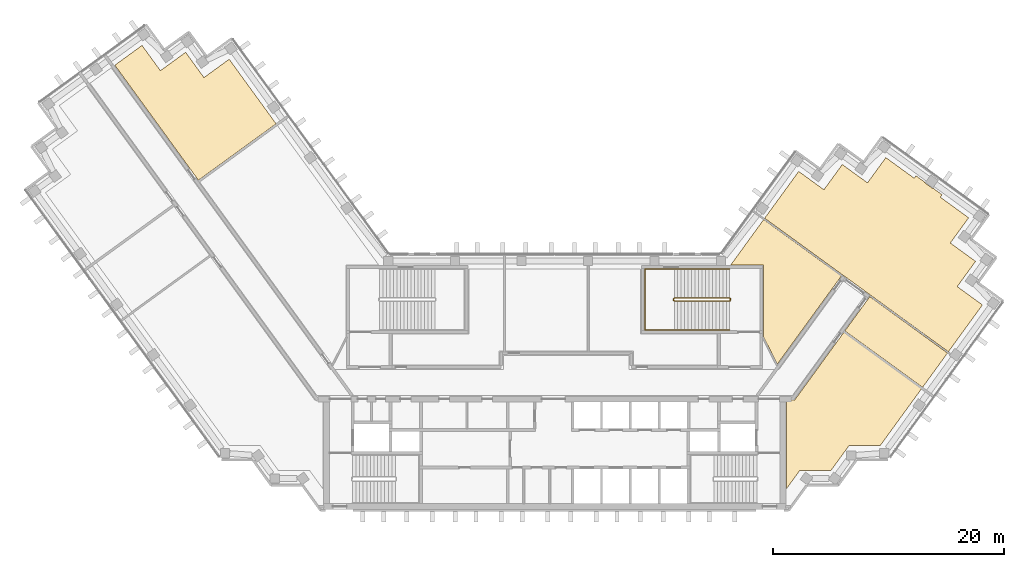
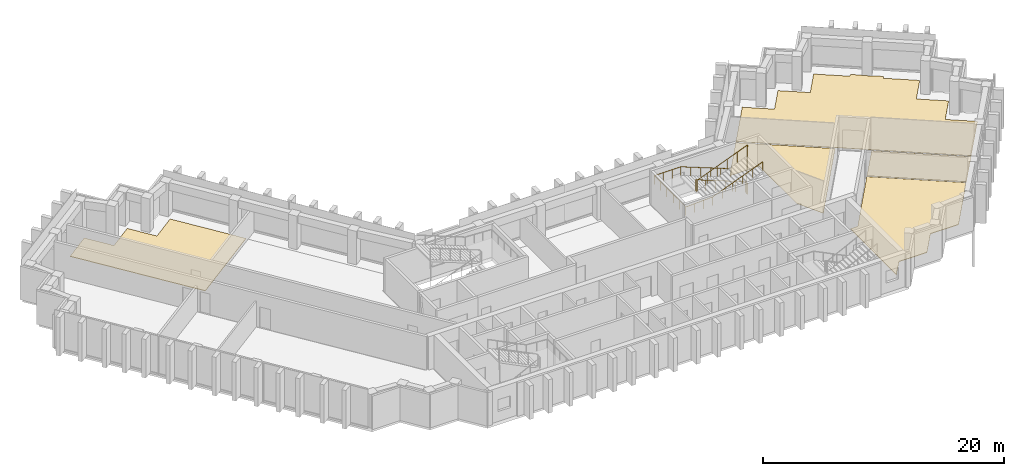
# One storey, part 9 of 9: 5 coverings, 2 railings.
"""IFC4 building model written with IfcOpenShell, lengths in metres."""

from ifc_helpers import new_model, si_unit, direction, frame, origin, origin_2d, place, context, subcontext, project, spatial, polyline, circle, outline, extrude, material, layer, layer_set, type_object, element, save


model = new_model("IFC4")

# Units and contexts
model_context = context("Model", 3, precision=1e-05, world=origin(), true_north=direction((0.0, 1.0)))
body_context = subcontext(model_context, "Body", "Model", "MODEL_VIEW")
ifc_project = project(units=[si_unit("LENGTHUNIT", "METRE"), si_unit("AREAUNIT", "SQUARE_METRE"), si_unit("VOLUMEUNIT", "CUBIC_METRE"), si_unit("PLANEANGLEUNIT", "RADIAN"), si_unit("MASSUNIT", "GRAM", prefix="KILO")], contexts=[model_context])

# Site, building, storey
site_placement = place(None, origin())
site = spatial("IfcSite", under=ifc_project, at=site_placement, CompositionType="ELEMENT")
building_placement = place(site_placement, origin())
building = spatial("IfcBuilding", under=site, at=building_placement, Name="Quipu Civic Tower", CompositionType="ELEMENT")
storey_placement = place(building_placement, frame((0.0, 0.0, 238.0)))
storey = spatial("IfcBuildingStorey", under=building, at=storey_placement, Name="L56", CompositionType="ELEMENT", Elevation=238.0)

# Coverings
ifc_material_1 = material(Name="Carpet tile on raised access floor")
ifc_layer_1 = layer(ifc_material_1, 0.02001953125)
ifc_layer_set_1 = layer_set([ifc_layer_1], Name="Carpet tile on raised access floor")
covering_type_1 = type_object("IfcCoveringType", Name="Carpet tile floor finish 20", PredefinedType="FLOORING", material=ifc_layer_set_1)
covering_1_placement = place(storey_placement, origin())
element("IfcCovering", 1, at=covering_1_placement, inside=storey, type_object=covering_type_1, Name="Carpet tile floor finish 20", PredefinedType="FLOORING", context=body_context, shape_type="SweptSolid", body=[
    extrude(outline(polyline([(15.238037109375, 10.169921875), (18.089111328125, 14.093994140625), (24.81201171875, 9.2109375), (19.27197265625, 1.583984375), (18.070068359375, 3.94189453125), (18.070068359375, 10.1689453125), (15.238037109375, 10.169921875)])), origin(), (0.0, 0.0, 1.0), 0.02001953125),
])
covering_2_placement = place(storey_placement, origin())
element("IfcCovering", 2, at=covering_2_placement, inside=storey, type_object=covering_type_1, Name="Carpet tile floor finish 20", PredefinedType="FLOORING", context=body_context, shape_type="SweptSolid", body=[
    extrude(outline(polyline([(18.172119140625, 14.20703125), (21.116943359375, 18.260986328125), (23.301025390625, 16.675048828125), (24.887939453125, 18.85791015625), (27.073974609375, 17.27197265625), (28.658935546875, 19.455078125), (31.116943359375, 17.6708984375), (31.27099609375, 17.8798828125), (32.032958984375, 17.325927734375), (32.032958984375, 17.324951171875), (32.031005859375, 17.321044921875), (32.030029296875, 17.31591796875), (32.029052734375, 17.31103515625), (32.028076171875, 17.305908203125), (32.028076171875, 17.302001953125), (32.029052734375, 17.297119140625), (32.030029296875, 17.2919921875), (32.031005859375, 17.287109375), (32.032958984375, 17.282958984375), (32.035888671875, 17.278076171875), (32.0380859375, 17.27392578125), (32.041015625, 17.27099609375), (32.044921875, 17.26708984375), (32.049072265625, 17.263916015625), (32.696044921875, 16.7939453125), (32.699951171875, 16.791015625), (32.7041015625, 16.7890625), (32.708984375, 16.787109375), (32.714111328125, 16.785888671875), (32.718994140625, 16.784912109375), (32.722900390625, 16.783935546875), (32.72802734375, 16.783935546875), (32.73291015625, 16.784912109375), (32.738037109375, 16.785888671875), (32.742919921875, 16.787109375), (32.7470703125, 16.7890625), (32.751953125, 16.7919921875), (32.756103515625, 16.7939453125), (32.759033203125, 16.798095703125), (32.760009765625, 16.798095703125), (33.52197265625, 16.2451171875), (33.3701171875, 16.032958984375), (35.826904296875, 14.248046875), (34.240966796875, 12.06396484375), (36.425048828125, 10.47607421875), (34.839111328125, 8.291015625), (37.02197265625, 6.7060546875), (34.077880859375, 2.652099609375), (18.172119140625, 14.20703125)])), origin(), (0.0, 0.0, 1.0), 0.02001953125),
])
ifc_material_2 = material(Name="Ceramic floor tile")
ifc_layer_2 = layer(ifc_material_2, 0.030029296875)
ifc_layer_set_2 = layer_set([ifc_layer_2], Name="Ceramic floor tile")
covering_type_2 = type_object("IfcCoveringType", Name="Ceramic tile floor finish 30", PredefinedType="FLOORING", material=ifc_layer_set_2)
covering_3_placement = place(storey_placement, origin())
element("IfcCovering", 3, at=covering_3_placement, inside=storey, type_object=covering_type_2, Name="Ceramic tile floor finish 30", PredefinedType="FLOORING", context=body_context, shape_type="SweptSolid", body=[
    extrude(outline(polyline([(25.117919921875, 4.4580078125), (27.27197265625, 7.423095703125), (33.9951171875, 2.5390625), (31.841064453125, -0.426025390625), (25.117919921875, 4.4580078125)])), origin(), (0.0, 0.0, 1.0), 0.030029296875),
])
ifc_material_3 = material(Name="Sealed cement screed")
ifc_layer_3 = layer(ifc_material_3, 0.050048828125)
ifc_layer_set_3 = layer_set([ifc_layer_3], Name="Sealed cement screed")
covering_type_3 = type_object("IfcCoveringType", Name="Sealed screed floor finish 50", PredefinedType="FLOORING", material=ifc_layer_set_3)
covering_4_placement = place(storey_placement, origin())
element("IfcCovering", 4, at=covering_4_placement, inside=storey, type_object=covering_type_3, Name="Sealed screed floor finish 50", PredefinedType="FLOORING", context=body_context, shape_type="SweptSolid", body=[
    extrude(outline(polyline([(20.070068359375, -9.195068359375), (20.070068359375, -1.52001953125), (20.77490234375, -1.51904296875), (25.034912109375, 4.344970703125), (31.758056640625, -0.5390625), (28.181884765625, -5.4609375), (25.48193359375, -5.4619140625), (23.89501953125, -7.64599609375), (21.196044921875, -7.64599609375), (20.070068359375, -9.195068359375)])), origin(), (0.0, 0.0, 1.0), 0.050048828125),
])
covering_5_placement = place(storey_placement, origin())
element("IfcCovering", 5, at=covering_5_placement, inside=storey, type_object=covering_type_3, Name="Sealed screed floor finish 50", PredefinedType="FLOORING", context=body_context, shape_type="SweptSolid", body=[
    extrude(outline(polyline([(-38.06689453125, 27.4541015625), (-35.712890625, 29.1640625), (-34.126953125, 26.97998046875), (-31.94091796875, 28.56591796875), (-30.35400390625, 26.383056640625), (-28.169921875, 27.968994140625), (-24.112060546875, 22.382080078125), (-30.8349609375, 17.4990234375), (-38.06689453125, 27.4541015625)])), origin(), (0.0, 0.0, 1.0), 0.050048828125),
])

# Railings
ifc_material_4 = material(Name="Stainless steel", Category="steel")
railing_type_1 = type_object("IfcRailingType", Name="Stair guard 1100", PredefinedType="GUARDRAIL", material=ifc_material_4)
railing_1_placement = place(storey_placement, frame((15.14990234375, 7.300048828125, 0.11767578125)))
element("IfcRailing", 6, at=railing_1_placement, inside=storey, type_object=railing_type_1, Name="Stair 4 guard", PredefinedType="GUARDRAIL", context=body_context, shape_type="SweptSolid", body=[
    extrude(circle(Radius=0.02392578125, at=origin_2d()), frame((0.0, 0.0, 1.076171875), z_axis=(-0.930970042603, 0.0, 0.365095576219), x_axis=(0.0, -1.0, 0.0)), (0.0, 0.0, 1.0), 5.15576171875),
    extrude(circle(Radius=0.02392578125, at=origin_2d()), frame((-4.7998046875, 0.0, 2.95849609375), z_axis=(-0.707106781187, -0.707106781187, 0.0), x_axis=(0.707106781187, -0.707106781187, 0.0)), (0.0, 0.0, 1.0), 0.07080078125),
    extrude(circle(Radius=0.02392578125, at=origin_2d()), frame((-4.849853515625, -0.050048828125, 2.95849609375), z_axis=(0.0, -1.0, 0.0), x_axis=(1.0, 0.0, 0.0)), (0.0, 0.0, 1.0), 0.14990234375),
    extrude(circle(Radius=0.02392578125, at=origin_2d()), frame((-4.849853515625, -0.199951171875, 2.95849609375), z_axis=(0.364463019033, -0.364463019033, 0.856932561824), x_axis=(0.707106781187, 0.707106781187, 0.0)), (0.0, 0.0, 1.0), 0.13720703125),
    extrude(circle(Radius=0.02392578125, at=origin_2d()), frame((-4.7998046875, -0.25, 3.076171875), z_axis=(0.930970042603, 0.0, 0.365095576219), x_axis=(0.0, 1.0, 0.0)), (0.0, 0.0, 1.0), 5.15576171875),
    extrude(circle(Radius=0.02392578125, at=origin_2d()), frame((0.0, -0.25, 4.95849609375), z_axis=(0.012495627992, 0.049921557685, -0.998674970829), x_axis=(-0.970072785993, 0.242814311512, 0.0)), (0.0, 0.0, 1.0), 4.00537109375),
    extrude(circle(Radius=0.02392578125, at=origin_2d()), frame((0.050048828125, -0.050048828125, 0.95849609375), z_axis=(0.0, -1.0, 0.0), x_axis=(1.0, 0.0, 0.0)), (0.0, 0.0, 1.0), 0.14990234375),
    extrude(circle(Radius=0.02099609375, at=origin_2d()), origin(), (0.0, 0.0, 1.0), 1.052001953125),
    extrude(circle(Radius=0.02099609375, at=origin_2d()), frame((-0.9599609375, 0.0, 0.37646484375)), (0.0, 0.0, 1.0), 1.052001953125),
    extrude(circle(Radius=0.02099609375, at=origin_2d()), frame((-1.919921875, 0.0, 0.7529296875)), (0.0, 0.0, 1.0), 1.052001953125),
    extrude(circle(Radius=0.02099609375, at=origin_2d()), frame((-2.8798828125, 0.0, 1.12939453125)), (0.0, 0.0, 1.0), 1.052001953125),
    extrude(circle(Radius=0.02099609375, at=origin_2d()), frame((-3.83984375, 0.0, 1.505859375)), (0.0, 0.0, 1.0), 1.052001953125),
    extrude(circle(Radius=0.02099609375, at=origin_2d()), frame((-4.7998046875, 0.0, 1.88232421875)), (0.0, 0.0, 1.0), 1.052001953125),
    extrude(circle(Radius=0.02099609375, at=origin_2d()), frame((-4.849853515625, -0.050048828125, 1.88232421875)), (0.0, 0.0, 1.0), 1.052001953125),
    extrude(circle(Radius=0.02099609375, at=origin_2d()), frame((-4.849853515625, -0.199951171875, 1.88232421875)), (0.0, 0.0, 1.0), 1.052001953125),
    extrude(circle(Radius=0.02099609375, at=origin_2d()), frame((-4.7998046875, -0.25, 2.0)), (0.0, 0.0, 1.0), 1.052001953125),
    extrude(circle(Radius=0.02099609375, at=origin_2d()), frame((-3.83984375, -0.25, 2.37646484375)), (0.0, 0.0, 1.0), 1.052001953125),
    extrude(circle(Radius=0.02099609375, at=origin_2d()), frame((-2.8798828125, -0.25, 2.7529296875)), (0.0, 0.0, 1.0), 1.052001953125),
    extrude(circle(Radius=0.02099609375, at=origin_2d()), frame((-1.919921875, -0.25, 3.12939453125)), (0.0, 0.0, 1.0), 1.052001953125),
    extrude(circle(Radius=0.02099609375, at=origin_2d()), frame((-0.9599609375, -0.25, 3.505859375)), (0.0, 0.0, 1.0), 1.052001953125),
    extrude(circle(Radius=0.02099609375, at=origin_2d()), frame((0.0, -0.25, 3.88232421875)), (0.0, 0.0, 1.0), 1.052001953125),
    extrude(circle(Radius=0.02099609375, at=origin_2d()), frame((0.012451171875, -0.199951171875, 2.88232421875)), (0.0, 0.0, 1.0), 1.052001953125),
    extrude(circle(Radius=0.02099609375, at=origin_2d()), frame((0.02490234375, -0.14990234375, 1.88232421875)), (0.0, 0.0, 1.0), 1.052001953125),
    extrude(circle(Radius=0.02099609375, at=origin_2d()), frame((0.03759765625, -0.10009765625, 0.88232421875)), (0.0, 0.0, 1.0), 1.052001953125),
    extrude(circle(Radius=0.02099609375, at=origin_2d()), frame((0.050048828125, -0.050048828125, -0.11767578125)), (0.0, 0.0, 1.0), 1.052001953125),
    extrude(circle(Radius=0.02099609375, at=origin_2d()), frame((0.050048828125, -0.199951171875, -0.11767578125)), (0.0, 0.0, 1.0), 1.052001953125),
])
ifc_material_5 = material(Name="Stainless steel", Category="steel")
railing_type_2 = type_object("IfcRailingType", Name="Stair handrail", PredefinedType="HANDRAIL", material=ifc_material_5)
railing_2_placement = place(storey_placement, frame((15.14990234375, 9.800048828125, 0.11767578125)))
element("IfcRailing", 7, at=railing_2_placement, inside=storey, type_object=railing_type_2, Name="Stair 4 handrail", PredefinedType="HANDRAIL", context=body_context, shape_type="SweptSolid", body=[
    extrude(circle(Radius=0.02392578125, at=origin_2d()), frame((0.0, 0.0, 0.8759765625), z_axis=(-0.930970042603, 0.0, 0.365095576219), x_axis=(0.0, -1.0, 0.0)), (0.0, 0.0, 1.0), 5.15576171875),
    extrude(circle(Radius=0.02392578125, at=origin_2d()), frame((-4.7998046875, 0.0, 2.75830078125), z_axis=(-1.0, 0.0, 0.0), x_axis=(0.0, -1.0, 0.0)), (0.0, 0.0, 1.0), 2.550048828125),
    extrude(circle(Radius=0.02392578125, at=origin_2d()), frame((-7.349853515625, 0.0, 2.75830078125), z_axis=(0.0, -1.0, 0.0), x_axis=(1.0, 0.0, 0.0)), (0.0, 0.0, 1.0), 5.25),
    extrude(circle(Radius=0.02392578125, at=origin_2d()), frame((-7.349853515625, -5.25, 2.75830078125), z_axis=(0.998936948642, 0.0, 0.04609742549), x_axis=(0.0, 1.0, 0.0)), (0.0, 0.0, 1.0), 2.552734375),
    extrude(circle(Radius=0.02392578125, at=origin_2d()), frame((-4.7998046875, -5.25, 2.8759765625), z_axis=(0.930970042603, 0.0, 0.365095576219), x_axis=(0.0, 1.0, 0.0)), (0.0, 0.0, 1.0), 5.15576171875),
    extrude(circle(Radius=0.02099609375, at=origin_2d()), origin(), (0.0, 0.0, 1.0), 0.851806640625),
    extrude(circle(Radius=0.02099609375, at=origin_2d()), frame((-0.9599609375, 0.0, 0.37646484375)), (0.0, 0.0, 1.0), 0.851806640625),
    extrude(circle(Radius=0.02099609375, at=origin_2d()), frame((-1.919921875, 0.0, 0.7529296875)), (0.0, 0.0, 1.0), 0.851806640625),
    extrude(circle(Radius=0.02099609375, at=origin_2d()), frame((-2.8798828125, 0.0, 1.12939453125)), (0.0, 0.0, 1.0), 0.851806640625),
    extrude(circle(Radius=0.02099609375, at=origin_2d()), frame((-3.83984375, 0.0, 1.505859375)), (0.0, 0.0, 1.0), 0.851806640625),
    extrude(circle(Radius=0.02099609375, at=origin_2d()), frame((-4.7998046875, 0.0, 1.88232421875)), (0.0, 0.0, 1.0), 0.851806640625),
    extrude(circle(Radius=0.02099609375, at=origin_2d()), frame((-5.64990234375, 0.0, 1.88232421875)), (0.0, 0.0, 1.0), 0.851806640625),
    extrude(circle(Radius=0.02099609375, at=origin_2d()), frame((-6.499755859375, 0.0, 1.88232421875)), (0.0, 0.0, 1.0), 0.851806640625),
    extrude(circle(Radius=0.02099609375, at=origin_2d()), frame((-7.349853515625, 0.0, 1.88232421875)), (0.0, 0.0, 1.0), 0.851806640625),
    extrude(circle(Radius=0.02099609375, at=origin_2d()), frame((-7.349853515625, -1.050048828125, 1.88232421875)), (0.0, 0.0, 1.0), 0.851806640625),
    extrude(circle(Radius=0.02099609375, at=origin_2d()), frame((-7.349853515625, -2.10009765625, 1.88232421875)), (0.0, 0.0, 1.0), 0.851806640625),
    extrude(circle(Radius=0.02099609375, at=origin_2d()), frame((-7.349853515625, -3.14990234375, 1.88232421875)), (0.0, 0.0, 1.0), 0.851806640625),
    extrude(circle(Radius=0.02099609375, at=origin_2d()), frame((-7.349853515625, -4.199951171875, 1.88232421875)), (0.0, 0.0, 1.0), 0.851806640625),
    extrude(circle(Radius=0.02099609375, at=origin_2d()), frame((-7.349853515625, -5.25, 1.88232421875)), (0.0, 0.0, 1.0), 0.851806640625),
    extrude(circle(Radius=0.02099609375, at=origin_2d()), frame((-6.499755859375, -5.25, 1.921630859375)), (0.0, 0.0, 1.0), 0.851806640625),
    extrude(circle(Radius=0.02099609375, at=origin_2d()), frame((-5.64990234375, -5.25, 1.960693359375)), (0.0, 0.0, 1.0), 0.851806640625),
    extrude(circle(Radius=0.02099609375, at=origin_2d()), frame((-4.7998046875, -5.25, 2.0)), (0.0, 0.0, 1.0), 0.851806640625),
    extrude(circle(Radius=0.02099609375, at=origin_2d()), frame((-3.83984375, -5.25, 2.37646484375)), (0.0, 0.0, 1.0), 0.851806640625),
    extrude(circle(Radius=0.02099609375, at=origin_2d()), frame((-2.8798828125, -5.25, 2.7529296875)), (0.0, 0.0, 1.0), 0.851806640625),
    extrude(circle(Radius=0.02099609375, at=origin_2d()), frame((-1.919921875, -5.25, 3.12939453125)), (0.0, 0.0, 1.0), 0.851806640625),
    extrude(circle(Radius=0.02099609375, at=origin_2d()), frame((-0.9599609375, -5.25, 3.505859375)), (0.0, 0.0, 1.0), 0.851806640625),
    extrude(circle(Radius=0.02099609375, at=origin_2d()), frame((0.0, -5.25, 3.88232421875)), (0.0, 0.0, 1.0), 0.851806640625),
])

save(model, "model.ifc")
